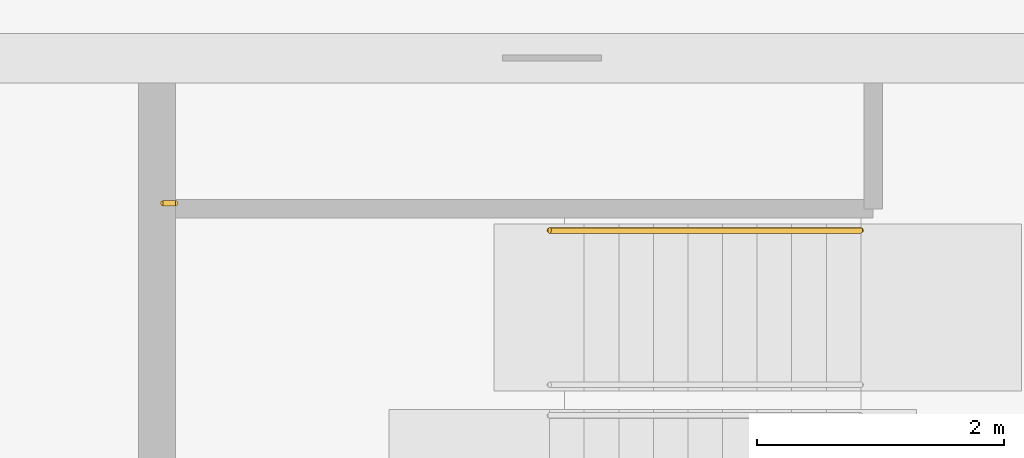
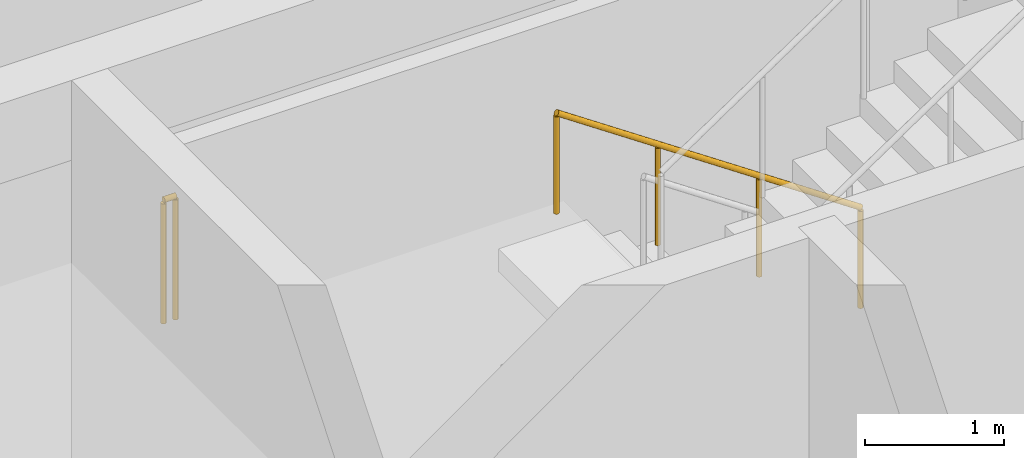
# One storey, part 20 of 20: 2 railings.
"""IFC4 building model written with IfcOpenShell, lengths in metres."""

from ifc_helpers import new_model, si_unit, direction, frame, origin, origin_2d, place, context, subcontext, project, spatial, circle, extrude, material, type_object, element, save


model = new_model("IFC4")

# Units and contexts
model_context = context("Model", 3, precision=1e-05, world=origin(), true_north=direction((0.0, 1.0)))
body_context = subcontext(model_context, "Body", "Model", "MODEL_VIEW")
ifc_project = project(units=[si_unit("LENGTHUNIT", "METRE"), si_unit("AREAUNIT", "SQUARE_METRE"), si_unit("VOLUMEUNIT", "CUBIC_METRE"), si_unit("PLANEANGLEUNIT", "RADIAN"), si_unit("MASSUNIT", "GRAM", prefix="KILO")], contexts=[model_context])

# Site, building, storey
site_placement = place(None, origin())
site = spatial("IfcSite", under=ifc_project, at=site_placement, CompositionType="ELEMENT")
building_placement = place(site_placement, origin())
building = spatial("IfcBuilding", under=site, at=building_placement, Name="Windrow Commons", CompositionType="ELEMENT")
storey_placement = place(building_placement, frame((0.0, 0.0, 290.6)))
storey = spatial("IfcBuildingStorey", under=building, at=storey_placement, Name="L79", CompositionType="ELEMENT", Elevation=290.6)

# Railings
ifc_material_1 = material(Name="Steel S355", Category="steel")
railing_type_1 = type_object("IfcRailingType", Name="Core stair guard 1100", PredefinedType="GUARDRAIL", material=ifc_material_1)
railing_1_placement = place(storey_placement, frame((64.95, 63.825, 1.9)))
element("IfcRailing", 1, at=railing_1_placement, inside=storey, type_object=railing_type_1, Name="L79 ST-A2 stair guard 3", PredefinedType="GUARDRAIL", context=body_context, shape_type="SweptSolid", body=[
    extrude(circle(Radius=0.024, at=origin_2d()), frame((0.0, 0.0, 1.076), z_axis=(-1.0, 0.0, 0.0), x_axis=(0.0, -1.0, 0.0)), (0.0, 0.0, 1.0), 0.1),
    extrude(circle(Radius=0.021, at=origin_2d()), origin(), (0.0, 0.0, 1.0), 1.052),
    extrude(circle(Radius=0.021, at=origin_2d()), frame((-0.1, 0.0, 0.0)), (0.0, 0.0, 1.0), 1.052),
])
ifc_material_2 = material(Name="Steel S355", Category="steel")
railing_type_2 = type_object("IfcRailingType", Name="Core stair handrail 900", PredefinedType="HANDRAIL", material=ifc_material_2)
railing_2_placement = place(storey_placement, frame((70.5, 63.605, 0.19)))
element("IfcRailing", 2, at=railing_2_placement, inside=storey, type_object=railing_type_2, Name="L79 ST-A2 stair handrail 1", PredefinedType="HANDRAIL", context=body_context, shape_type="SweptSolid", body=[
    extrude(circle(Radius=0.024, at=origin_2d()), frame((0.0, 0.0, 0.876), z_axis=(-0.8274757744, 0.0, 0.5615014183), x_axis=(0.0, -1.0, 0.0)), (0.0, 0.0, 1.0), 3.0454),
    extrude(circle(Radius=0.021, at=origin_2d()), origin(), (0.0, 0.0, 1.0), 0.852),
    extrude(circle(Radius=0.021, at=origin_2d()), frame((-0.84, 0.0, 0.57)), (0.0, 0.0, 1.0), 0.852),
    extrude(circle(Radius=0.021, at=origin_2d()), frame((-1.68, 0.0, 1.14)), (0.0, 0.0, 1.0), 0.852),
    extrude(circle(Radius=0.021, at=origin_2d()), frame((-2.52, 0.0, 1.71)), (0.0, 0.0, 1.0), 0.852),
])

save(model, "model.ifc")
